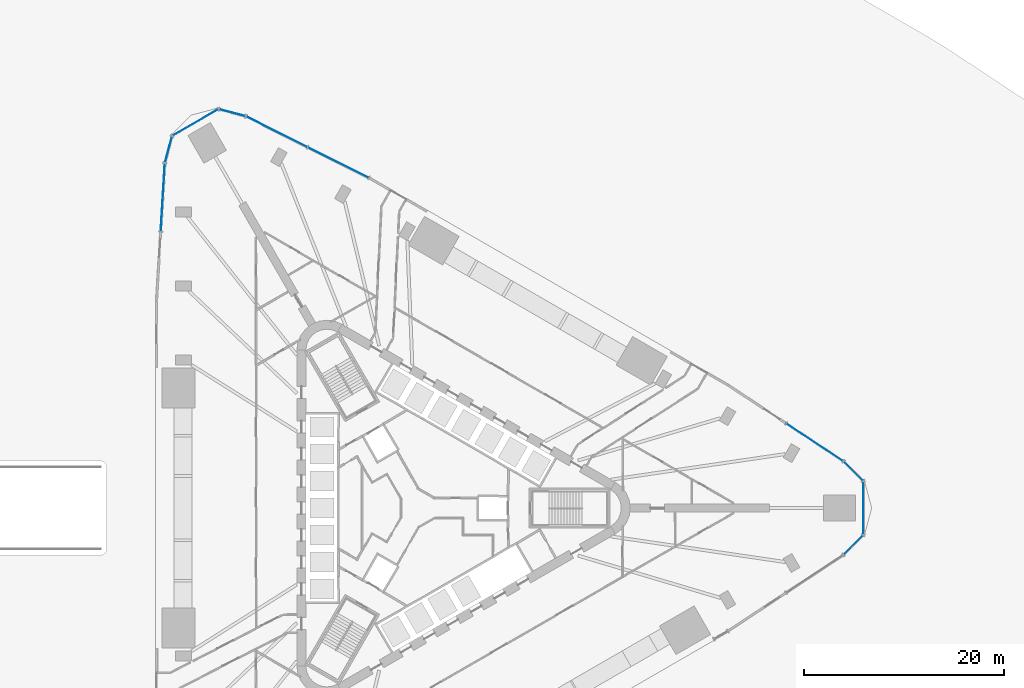
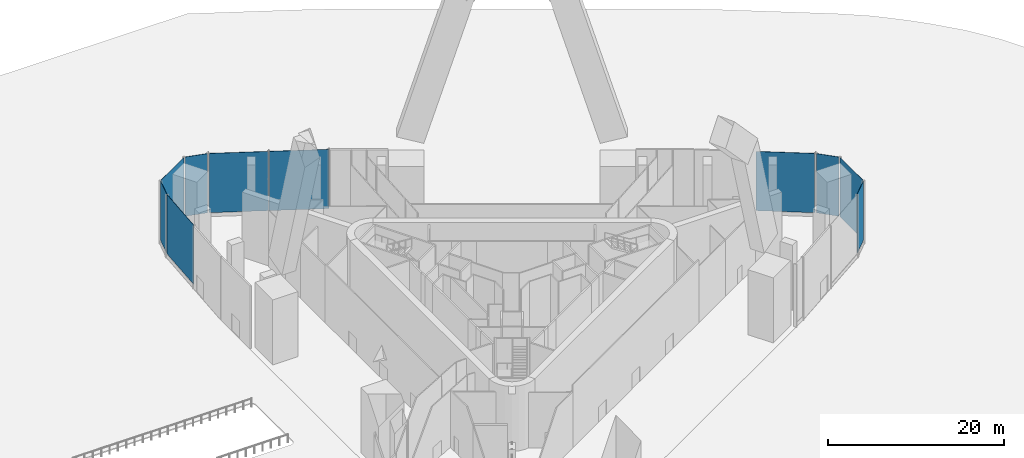
# One storey, part 12 of 22: 10 plates, 9 elements without a shape of their own.
"""IFC4 building model written with IfcOpenShell, lengths in metres."""

from ifc_helpers import new_model, si_unit, direction, frame, origin, origin_2d, place, context, subcontext, project, spatial, rectangle, extrude, material, layer, layer_set, type_object, element, aggregate, save


model = new_model("IFC4")

# Units and contexts
model_context = context("Model", 3, precision=1e-05, world=origin(), true_north=direction((0.0, 1.0)))
body_context = subcontext(model_context, "Body", "Model", "MODEL_VIEW")
ifc_project = project(units=[si_unit("LENGTHUNIT", "METRE"), si_unit("AREAUNIT", "SQUARE_METRE"), si_unit("VOLUMEUNIT", "CUBIC_METRE"), si_unit("PLANEANGLEUNIT", "RADIAN"), si_unit("MASSUNIT", "GRAM", prefix="KILO")], contexts=[model_context])

# Site, building, storey
site_placement = place(None, origin())
site = spatial("IfcSite", under=ifc_project, at=site_placement, CompositionType="ELEMENT")
building_placement = place(site_placement, origin())
building = spatial("IfcBuilding", under=site, at=building_placement, Name="Tanit Gate Tower", CompositionType="ELEMENT")
storey_placement = place(building_placement, origin())
storey = spatial("IfcBuildingStorey", under=building, at=storey_placement, Name="L00", CompositionType="ELEMENT", Elevation=0.0)

# Curtain wall, plate
ifc_material_1 = material(Name="Aluminium bronze anodised and glass", Category="aluminium")
curtain_wall_type = type_object("IfcCurtainWallType", Name="Curtain wall shopfront", PredefinedType="NOTDEFINED", material=ifc_material_1)
curtain_wall_1_placement = place(storey_placement, origin())
curtain_wall_1 = element("IfcCurtainWall", 1, at=curtain_wall_1_placement, inside=storey, type_object=curtain_wall_type, Name="Curtain wall L00 NE1a", PredefinedType="NOTDEFINED")
ifc_material_2 = material(Name="Glass tinted laminated safety", Category="glass")
ifc_layer = layer(ifc_material_2, 0.0380859375)
ifc_layer_set = layer_set([ifc_layer], Name="Glass panel 38 shopfront")
plate_type = type_object("IfcPlateType", Name="Glass panel 38 shopfront", PredefinedType="CURTAIN_PANEL", material=ifc_layer_set)
plate_1_placement = place(storey_placement, frame((39.607666015625, 6.566650390625, 0.5), z_axis=(0.0, 0.0, 1.0), x_axis=(-0.834569178545, 0.550903155031, 0.0)))
plate_1 = element("IfcPlate", 2, at=plate_1_placement, type_object=plate_type, Name="Glass panel L00 NE1a.1", PredefinedType="CURTAIN_PANEL", context=body_context, shape_type="SweptSolid", body=[
    extrude(rectangle(XDim=6.74072265625, YDim=0.0380859375, at=origin_2d()), origin(), (0.0, 0.0, 1.0), 8.199951171875),
])
aggregate(curtain_wall_1, [plate_1])

# Curtain wall, plates
curtain_wall_2_placement = place(storey_placement, origin())
curtain_wall_2 = element("IfcCurtainWall", 3, at=curtain_wall_2_placement, inside=storey, type_object=curtain_wall_type, Name="Curtain wall L00 NE3", PredefinedType="NOTDEFINED")
plate_2_placement = place(storey_placement, frame((-7.9638671875, 34.5048828125, 0.5), z_axis=(0.0, 0.0, 1.0), x_axis=(-0.894287982019, 0.447491905196, 0.0)))
plate_2 = element("IfcPlate", 4, at=plate_2_placement, type_object=plate_type, Name="Glass panel L00 NE3.1", PredefinedType="CURTAIN_PANEL", context=body_context, shape_type="SweptSolid", body=[
    extrude(rectangle(XDim=6.78076171875, YDim=0.0380859375, at=origin_2d()), origin(), (0.0, 0.0, 1.0), 8.199951171875),
])
plate_3_placement = place(storey_placement, frame((-14.099365234375, 37.574951171875, 0.5), z_axis=(0.0, 0.0, 1.0), x_axis=(-0.894287982019, 0.447491905196, 0.0)))
plate_3 = element("IfcPlate", 5, at=plate_3_placement, type_object=plate_type, Name="Glass panel L00 NE3.2", PredefinedType="CURTAIN_PANEL", context=body_context, shape_type="SweptSolid", body=[
    extrude(rectangle(XDim=6.78076171875, YDim=0.0380859375, at=origin_2d()), origin(), (0.0, 0.0, 1.0), 8.199951171875),
])
aggregate(curtain_wall_2, [plate_2, plate_3])

# Curtain wall, plate
curtain_wall_3_placement = place(storey_placement, origin())
curtain_wall_3 = element("IfcCurtainWall", 6, at=curtain_wall_3_placement, inside=storey, type_object=curtain_wall_type, Name="Curtain wall L00 NW.arc1", PredefinedType="NOTDEFINED")
plate_4_placement = place(storey_placement, frame((-18.555419921875, 39.490234375, 0.5), z_axis=(0.0, 0.0, 1.0), x_axis=(-0.965925826289, 0.258819045103, 0.0)))
plate_4 = element("IfcPlate", 7, at=plate_4_placement, type_object=plate_type, Name="Glass panel L00 NW.arc1.1", PredefinedType="CURTAIN_PANEL", context=body_context, shape_type="SweptSolid", body=[
    extrude(rectangle(XDim=2.640380859375, YDim=0.0380859375, at=origin_2d()), origin(), (0.0, 0.0, 1.0), 8.199951171875),
])
aggregate(curtain_wall_3, [plate_4])

curtain_wall_4_placement = place(storey_placement, origin())
curtain_wall_4 = element("IfcCurtainWall", 8, at=curtain_wall_4_placement, inside=storey, type_object=curtain_wall_type, Name="Curtain wall L00 NW.arc2", PredefinedType="NOTDEFINED")
plate_5_placement = place(storey_placement, frame((-22.233642578125, 38.510009765625, 0.5), z_axis=(0.0, 0.0, 1.0), x_axis=(-0.866025403784, -0.5, 0.0)))
plate_5 = element("IfcPlate", 9, at=plate_5_placement, type_object=plate_type, Name="Glass panel L00 NW.arc2.1", PredefinedType="CURTAIN_PANEL", context=body_context, shape_type="SweptSolid", body=[
    extrude(rectangle(XDim=5.211181640625, YDim=0.0380859375, at=origin_2d()), origin(), (0.0, 0.0, 1.0), 8.199951171875),
])
aggregate(curtain_wall_4, [plate_5])

curtain_wall_5_placement = place(storey_placement, origin())
curtain_wall_5 = element("IfcCurtainWall", 10, at=curtain_wall_5_placement, inside=storey, type_object=curtain_wall_type, Name="Curtain wall L00 NW.arc3", PredefinedType="NOTDEFINED")
plate_6_placement = place(storey_placement, frame((-24.921875, 35.814697265625, 0.5), z_axis=(0.0, 0.0, 1.0), x_axis=(-0.258819045103, -0.965925826289, 0.0)))
plate_6 = element("IfcPlate", 11, at=plate_6_placement, type_object=plate_type, Name="Glass panel L00 NW.arc3.1", PredefinedType="CURTAIN_PANEL", context=body_context, shape_type="SweptSolid", body=[
    extrude(rectangle(XDim=2.640380859375, YDim=0.0380859375, at=origin_2d()), origin(), (0.0, 0.0, 1.0), 8.199951171875),
])
aggregate(curtain_wall_5, [plate_6])

curtain_wall_6_placement = place(storey_placement, origin())
curtain_wall_6 = element("IfcCurtainWall", 12, at=curtain_wall_6_placement, inside=storey, type_object=curtain_wall_type, Name="Curtain wall L00 W1a", PredefinedType="NOTDEFINED")
plate_7_placement = place(storey_placement, frame((-25.49072265625, 31.017822265625, 0.5), z_axis=(0.0, 0.0, 1.0), x_axis=(-0.059811538009, -0.998209687351, 0.0)))
plate_7 = element("IfcPlate", 13, at=plate_7_placement, type_object=plate_type, Name="Glass panel L00 W1a.1", PredefinedType="CURTAIN_PANEL", context=body_context, shape_type="SweptSolid", body=[
    extrude(rectangle(XDim=6.74072265625, YDim=0.0380859375, at=origin_2d()), origin(), (0.0, 0.0, 1.0), 8.199951171875),
])
aggregate(curtain_wall_6, [plate_7])

curtain_wall_7_placement = place(storey_placement, origin())
curtain_wall_7 = element("IfcCurtainWall", 14, at=curtain_wall_7_placement, inside=storey, type_object=curtain_wall_type, Name="Curtain wall L00 E.arc1", PredefinedType="NOTDEFINED")
plate_8_placement = place(storey_placement, frame((43.477294921875, -3.67578125, 0.5), z_axis=(0.0, 0.0, 1.0), x_axis=(0.707106781187, 0.707106781187, 0.0)))
plate_8 = element("IfcPlate", 15, at=plate_8_placement, type_object=plate_type, Name="Glass panel L00 E.arc1.1", PredefinedType="CURTAIN_PANEL", context=body_context, shape_type="SweptSolid", body=[
    extrude(rectangle(XDim=2.640380859375, YDim=0.0380859375, at=origin_2d()), origin(), (0.0, 0.0, 1.0), 8.199951171875),
])
aggregate(curtain_wall_7, [plate_8])

curtain_wall_8_placement = place(storey_placement, origin())
curtain_wall_8 = element("IfcCurtainWall", 16, at=curtain_wall_8_placement, inside=storey, type_object=curtain_wall_type, Name="Curtain wall L00 E.arc2", PredefinedType="NOTDEFINED")
plate_9_placement = place(storey_placement, frame((44.467529296875, 0.0, 0.5), z_axis=(0.0, 0.0, 1.0), x_axis=(0.0, 1.0, 0.0)))
plate_9 = element("IfcPlate", 17, at=plate_9_placement, type_object=plate_type, Name="Glass panel L00 E.arc2.1", PredefinedType="CURTAIN_PANEL", context=body_context, shape_type="SweptSolid", body=[
    extrude(rectangle(XDim=5.211181640625, YDim=0.0380859375, at=origin_2d()), origin(), (0.0, 0.0, 1.0), 8.199951171875),
])
aggregate(curtain_wall_8, [plate_9])

curtain_wall_9_placement = place(storey_placement, origin())
curtain_wall_9 = element("IfcCurtainWall", 18, at=curtain_wall_9_placement, inside=storey, type_object=curtain_wall_type, Name="Curtain wall L00 E.arc3", PredefinedType="NOTDEFINED")
plate_10_placement = place(storey_placement, frame((43.477294921875, 3.67578125, 0.5), z_axis=(0.0, 0.0, 1.0), x_axis=(-0.707106781187, 0.707106781187, 0.0)))
plate_10 = element("IfcPlate", 19, at=plate_10_placement, type_object=plate_type, Name="Glass panel L00 E.arc3.1", PredefinedType="CURTAIN_PANEL", context=body_context, shape_type="SweptSolid", body=[
    extrude(rectangle(XDim=2.640380859375, YDim=0.0380859375, at=origin_2d()), origin(), (0.0, 0.0, 1.0), 8.199951171875),
])
aggregate(curtain_wall_9, [plate_10])

save(model, "model.ifc")
